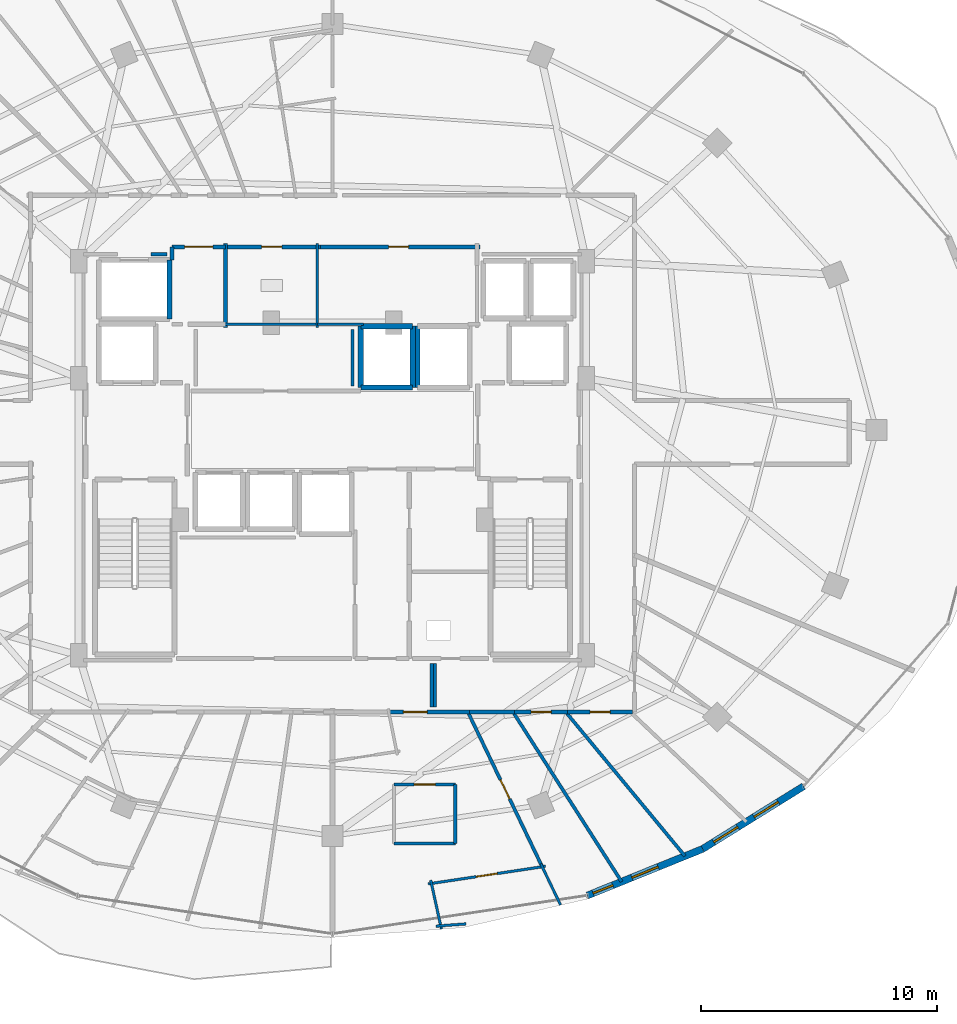
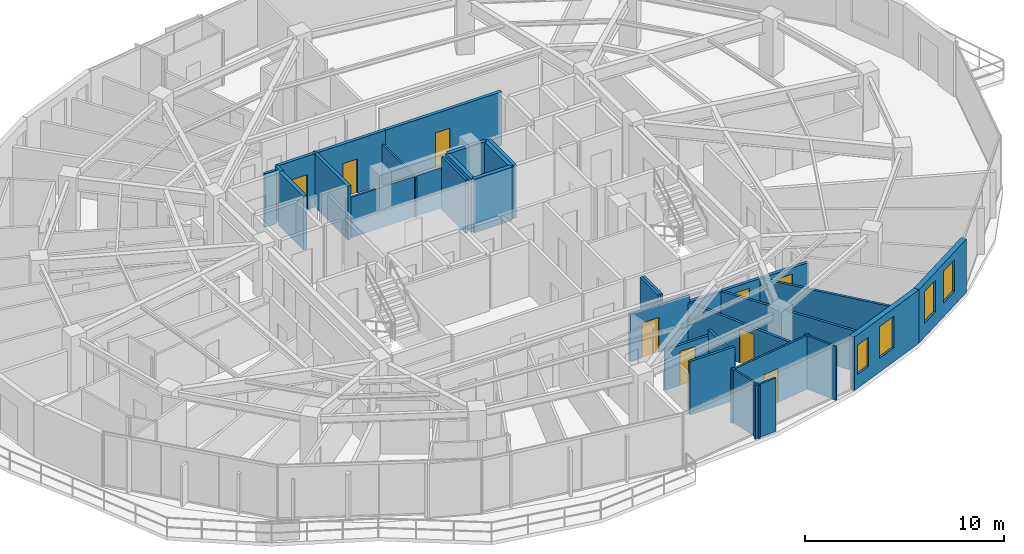
# One storey, part 26 of 32: 34 walls, 9 doors, 4 windows, 13 openings.
"""IFC4 building model written with IfcOpenShell, lengths in metres."""

import ifcopenshell
import ifcopenshell.guid

model = None  # the IFC model being written
_history = None  # IfcOwnerHistory: only IFC2X3 demands one
_inside = {}  # id of a spatial element -> (the spatial element, [elements in it])
_under = {}  # id of a project, library or spatial element -> (it, [spatial elements below it])
_declared = {}  # id of a project -> (the project, [libraries it declares])
_typed = {}  # id of a type object -> (the type object, [elements of that type])
_made_of = {}  # id of a material, layer set ... -> (it, [elements and type objects made of it])


def new_model(schema):
    """Start an empty IFC model of exactly this schema.

    Asked for "IFC4X3", IfcOpenShell would pick the latest addendum, in which some entities
    have other attributes; the version numbers below select the first issue.
    IFC2X3 requires an IfcOwnerHistory on every rooted entity: one is made here for all.
    """
    global model, _history
    if schema == "IFC4X3":
        model = ifcopenshell.file(schema_version=(4, 3, 0, 0))
    else:
        model = ifcopenshell.file(schema=schema)
    _inside.clear()
    _under.clear()
    _declared.clear()
    _typed.clear()
    _made_of.clear()
    _history = None
    if model.schema == "IFC2X3":
        org = make("IfcOrganization", Name="unknown")
        user = make(
            "IfcPersonAndOrganization",
            ThePerson=make("IfcPerson", FamilyName="unknown"),
            TheOrganization=org,
        )
        app = make(
            "IfcApplication",
            ApplicationDeveloper=org,
            Version="unknown",
            ApplicationFullName="unknown",
            ApplicationIdentifier="unknown",
        )
        _history = make(
            "IfcOwnerHistory",
            OwningUser=user,
            OwningApplication=app,
            ChangeAction="ADDED",
            CreationDate=0,
        )
    return model


def make(cls, **values):
    """One entity of the class cls with the attributes given. An attribute that is None is left unset."""
    return model.create_entity(
        cls, **{name: value for name, value in values.items() if value is not None}
    )


def rooted(cls, **values):
    """An entity with a GlobalId (a new one), such as an element, a storey or a relation."""
    return make(cls, GlobalId=ifcopenshell.guid.new(), OwnerHistory=_history, **values)


def si_unit(unit_type, name, prefix=None):
    """IfcSIUnit, for example si_unit("LENGTHUNIT", "METRE", prefix="MILLI")."""
    return make("IfcSIUnit", UnitType=unit_type, Prefix=prefix, Name=name)


def assignment(units):
    """IfcUnitAssignment: the units of a project."""
    return None if units is None else make("IfcUnitAssignment", Units=units)


def point(xyz):
    """IfcCartesianPoint."""
    return None if xyz is None else make("IfcCartesianPoint", Coordinates=xyz)


def direction(xyz):
    """IfcDirection."""
    return None if xyz is None else make("IfcDirection", DirectionRatios=xyz)


def frame(location, z_axis=None, x_axis=None):
    """IfcAxis2Placement3D, a coordinate frame: its origin and axes. An axis left out is left unset."""
    return make(
        "IfcAxis2Placement3D",
        Location=point(location),
        Axis=direction(z_axis),
        RefDirection=direction(x_axis),
    )


def frame_2d(location, x_axis=None):
    """IfcAxis2Placement2D, a coordinate frame in the plane: its origin and x axis."""
    return make(
        "IfcAxis2Placement2D", Location=point(location), RefDirection=direction(x_axis)
    )


def origin():
    """The frame at (0, 0, 0) with its axes left unset."""
    return frame((0.0, 0.0, 0.0))


def place(relative_to, where):
    """IfcLocalPlacement: puts the frame where relative to a parent placement (None: the world)."""
    return make(
        "IfcLocalPlacement", PlacementRelTo=relative_to, RelativePlacement=where
    )


def context(
    kind, dimensions, precision=None, world=None, true_north=None, identifier=None
):
    """IfcGeometricRepresentationContext, for example the 3D "Model" context."""
    return make(
        "IfcGeometricRepresentationContext",
        ContextIdentifier=identifier,
        ContextType=kind,
        CoordinateSpaceDimension=dimensions,
        Precision=precision,
        WorldCoordinateSystem=world,
        TrueNorth=true_north,
    )


def subcontext(parent, identifier, kind, view, scale=None):
    """IfcGeometricRepresentationSubContext, for example "Body" below "Model"."""
    return make(
        "IfcGeometricRepresentationSubContext",
        ContextIdentifier=identifier,
        ContextType=kind,
        ParentContext=parent,
        TargetScale=scale,
        TargetView=view,
    )


def project(units=None, contexts=None):
    """IfcProject with its units and contexts."""
    return rooted(
        "IfcProject",
        Name="project",
        RepresentationContexts=contexts,
        UnitsInContext=assignment(units),
    )


def spatial(cls, under=None, at=None, **own):
    """A site, building, storey or space (cls), placed at a placement, below another one or the project."""
    s = rooted(cls, ObjectPlacement=at, **own)
    if under is not None:
        _under.setdefault(under.id(), (under, []))[1].append(s)
    return s


def profile(cls, at=None, kind="AREA", **sizes):
    """A parametric profile (cls). Its sizes go by their IFC names, for example OverallWidth=200.0."""
    return make(cls, ProfileType=kind, Position=at, **sizes)


def rectangle(**sizes):
    """IfcRectangleProfileDef."""
    return profile("IfcRectangleProfileDef", **sizes)


def extrude(swept, where, along, depth):
    """IfcExtrudedAreaSolid: the profile swept, set in the frame where, extruded along a direction by depth."""
    return make(
        "IfcExtrudedAreaSolid",
        SweptArea=swept,
        Position=where,
        ExtrudedDirection=direction(along),
        Depth=depth,
    )


def shape(context_of_items, identifier, shape_type, items):
    """IfcShapeRepresentation: the items that make up one representation, for example the "Body"."""
    return make(
        "IfcShapeRepresentation",
        ContextOfItems=context_of_items,
        RepresentationIdentifier=identifier,
        RepresentationType=shape_type,
        Items=items,
    )


def material(Name=None, Category=None):
    """IfcMaterial."""
    return make("IfcMaterial", Name=Name, Category=Category)


def layer(
    of_material, thickness, ventilated=None, Name=None, Category=None, Priority=None
):
    """IfcMaterialLayer: one layer of a wall or slab, of a material (None: an air gap)."""
    return make(
        "IfcMaterialLayer",
        Material=of_material,
        LayerThickness=thickness,
        IsVentilated=ventilated,
        Name=Name,
        Category=Category,
        Priority=Priority,
    )


def layer_set(layers, Name=None):
    """IfcMaterialLayerSet."""
    return make("IfcMaterialLayerSet", MaterialLayers=layers, LayerSetName=Name)


def made_of(thing, what):
    """Note that an element or type object is made of a material, layer set ...; save() writes the relation."""
    if what is not None:
        _made_of.setdefault(what.id(), (what, []))[1].append(thing)
    return thing


def type_object(cls, material=None, **own):
    """A type object (cls), such as IfcWallType, which elements share."""
    return made_of(rooted(cls, **own), material)


def element(
    cls,
    number,
    at=None,
    inside=None,
    cuts=None,
    type_object=None,
    material=None,
    context=None,
    identifier="Body",
    shape_type=None,
    held_by="IfcProductDefinitionShape",
    body=None,
    shapes=None,
    **own,
):
    """One element of the class cls, such as IfcWall. Its Tag is "e" and its number.

    at: its placement. inside: the storey or other place that contains it. cuts: it is an
    opening in that element (IfcRelVoidsElement). A single representation is given by context,
    identifier, shape_type and body (its items); several are given by shapes. held_by: the class
    of the entity that holds the representations. save() writes the other relations.
    """
    e = rooted(cls, Tag="e%d" % number, ObjectPlacement=at, **own)
    if body is not None:
        shapes = [shape(context, identifier, shape_type, body)]
    if shapes is not None:
        e.Representation = make(held_by, Representations=shapes)
    if inside is not None:
        _inside.setdefault(inside.id(), (inside, []))[1].append(e)
    if cuts is not None:
        rooted(
            "IfcRelVoidsElement", RelatingBuildingElement=cuts, RelatedOpeningElement=e
        )
    if type_object is not None:
        _typed.setdefault(type_object.id(), (type_object, []))[1].append(e)
    return made_of(e, material)


def fill(opening, filler):
    """IfcRelFillsElement: the door or window that sits in an opening."""
    return rooted(
        "IfcRelFillsElement",
        RelatingOpeningElement=opening,
        RelatedBuildingElement=filler,
    )


def aggregate(whole, parts):
    """IfcRelAggregates: a whole, such as a stair, and the parts it consists of."""
    return rooted("IfcRelAggregates", RelatingObject=whole, RelatedObjects=parts)


def save(model, path):
    """Write the relations noted so far, then the file.

    IfcRelAggregates (storeys below a building ...), IfcRelContainedInSpatialStructure (elements
    in a storey), IfcRelDefinesByType, IfcRelAssociatesMaterial and IfcRelDeclares: one each for
    every whole, place, type object, material and project.
    """
    for whole, parts in _under.values():
        aggregate(whole, parts)
    for where, things in _inside.values():
        rooted(
            "IfcRelContainedInSpatialStructure",
            RelatedElements=things,
            RelatingStructure=where,
        )
    for kind, things in _typed.values():
        rooted("IfcRelDefinesByType", RelatedObjects=things, RelatingType=kind)
    for what, things in _made_of.values():
        rooted("IfcRelAssociatesMaterial", RelatedObjects=things, RelatingMaterial=what)
    for by, libraries in _declared.values():
        rooted("IfcRelDeclares", RelatingContext=by, RelatedDefinitions=libraries)
    model.write(path)


model = new_model("IFC4")

# Units and contexts
model_context = context("Model", 3, precision=1e-05, world=origin(), true_north=direction((0.0, 1.0)))
body_context = subcontext(model_context, "Body", "Model", "MODEL_VIEW")
ifc_project = project(units=[si_unit("LENGTHUNIT", "METRE"), si_unit("AREAUNIT", "SQUARE_METRE"), si_unit("VOLUMEUNIT", "CUBIC_METRE"), si_unit("PLANEANGLEUNIT", "RADIAN"), si_unit("MASSUNIT", "GRAM", prefix="KILO")], contexts=[model_context])

# Site, building, storey
site_placement = place(None, origin())
site = spatial("IfcSite", under=ifc_project, at=site_placement, CompositionType="ELEMENT")
building_placement = place(site_placement, origin())
building = spatial("IfcBuilding", under=site, at=building_placement, Name="Vorneva Point Tower", CompositionType="ELEMENT")
storey_placement = place(building_placement, frame((0.0, 0.0, 207.199951171875)))
storey = spatial("IfcBuildingStorey", under=building, at=storey_placement, Name="L56", CompositionType="ELEMENT", Elevation=207.199951171875)

# Wall, openings, windows
ifc_material_1 = material(Name="Precast concrete B50 (C40/50)", Category="concrete")
ifc_layer_1 = layer(ifc_material_1, 0.300048828125)
ifc_layer_set_1 = layer_set([ifc_layer_1], Name="Precast concrete B50 (C40/50)")
wall_type_1 = type_object("IfcWallType", Name="WL-EXT-300", PredefinedType="STANDARD", material=ifc_layer_set_1)
wall_1_placement = place(storey_placement, frame((48.80322265625, 6.275146484375, 0.0), z_axis=(0.0, 0.0, 1.0), x_axis=(0.927111094334, 0.374786630981, 0.0)))
wall_1 = element("IfcWall", 1, at=wall_1_placement, inside=storey, type_object=wall_type_1, Name="L56 Pale-Metal Facade Spandrel Wall 14.1", PredefinedType="STANDARD", context=body_context, shape_type="SweptSolid", body=[
    extrude(rectangle(XDim=5.26416015625, YDim=0.300048828125, at=frame_2d((2.632080078125, 0.0))), origin(), (0.0, 0.0, 1.0), 3.2900390625),
])
opening_1_placement = place(wall_1_placement, frame((0.25830078125, 0.0, 0.85009765625)))
opening_1 = element("IfcOpeningElement", 2, at=opening_1_placement, cuts=wall_1, Name="Opening W-08", PredefinedType="OPENING", context=body_context, shape_type="SweptSolid", body=[
    extrude(rectangle(XDim=0.89990234375, YDim=1.800048828125, at=frame_2d((0.449951171875, 0.89990234375))), frame((0.0, 0.1650390625, 0.0), z_axis=(0.0, -1.0, 0.0), x_axis=(1.0, 0.0, 0.0)), (0.0, 0.0, 1.0), 0.329833984375),
])
opening_2_placement = place(wall_1_placement, frame((2.031982421875, 0.0, 0.85009765625)))
opening_2 = element("IfcOpeningElement", 3, at=opening_2_placement, cuts=wall_1, Name="Opening W-04", PredefinedType="OPENING", context=body_context, shape_type="SweptSolid", body=[
    extrude(rectangle(XDim=1.199951171875, YDim=1.949951171875, at=frame_2d((0.60009765625, 0.97509765625))), frame((0.0, 0.1650390625, 0.0), z_axis=(0.0, -1.0, 0.0), x_axis=(1.0, 0.0, 0.0)), (0.0, 0.0, 1.0), 0.329833984375),
])
ifc_material_2 = material(Name="Double low-e laminated glass IGU", Category="glass")
window_type_1 = type_object("IfcWindowType", Name="WN-CAS-900", PartitioningType="SINGLE_PANEL", PredefinedType="WINDOW", material=ifc_material_2)
window_1_placement = place(opening_1_placement, origin())
window_1 = element("IfcWindow", 4, at=window_1_placement, inside=storey, type_object=window_type_1, Name="L56 Dwelling Vision Window 04", OverallHeight=1.800048828125, OverallWidth=0.89990234375, PartitioningType="SINGLE_PANEL", PredefinedType="WINDOW", context=body_context, shape_type="SweptSolid", body=[
    extrude(rectangle(XDim=0.89990234375, YDim=1.800048828125, at=frame_2d((0.449951171875, 0.89990234375))), frame((0.0, 0.030029296875, 0.0), z_axis=(0.0, -1.0, 0.0), x_axis=(1.0, 0.0, 0.0)), (0.0, 0.0, 1.0), 0.06005859375),
])
fill(opening_1, window_1)
window_type_2 = type_object("IfcWindowType", Name="WN-RES-1200", PartitioningType="SINGLE_PANEL", PredefinedType="WINDOW", material=ifc_material_2)
window_2_placement = place(opening_2_placement, origin())
window_2 = element("IfcWindow", 5, at=window_2_placement, inside=storey, type_object=window_type_2, Name="L56 Dwelling Vision Window 05", OverallHeight=1.949951171875, OverallWidth=1.199951171875, PartitioningType="SINGLE_PANEL", PredefinedType="WINDOW", context=body_context, shape_type="SweptSolid", body=[
    extrude(rectangle(XDim=1.199951171875, YDim=1.949951171875, at=frame_2d((0.60009765625, 0.97509765625))), frame((0.0, 0.030029296875, 0.0), z_axis=(0.0, -1.0, 0.0), x_axis=(1.0, 0.0, 0.0)), (0.0, 0.0, 1.0), 0.06005859375),
])
fill(opening_2, window_2)

wall_2_placement = place(storey_placement, frame((53.68359375, 8.248046875, 0.0), z_axis=(0.0, 0.0, 1.0), x_axis=(0.849647657754, 0.527350791858, 0.0)))
wall_2 = element("IfcWall", 6, at=wall_2_placement, inside=storey, type_object=wall_type_1, Name="L56 Pale-Metal Facade Spandrel Wall 14.2", PredefinedType="STANDARD", context=body_context, shape_type="SweptSolid", body=[
    extrude(rectangle(XDim=5.03515625, YDim=0.300048828125, at=frame_2d((2.517578125, 0.0))), origin(), (0.0, 0.0, 1.0), 3.2900390625),
])
opening_3_placement = place(wall_2_placement, frame((0.5546875, 0.0, 0.85009765625)))
opening_3 = element("IfcOpeningElement", 7, at=opening_3_placement, cuts=wall_2, Name="Opening W-04", PredefinedType="OPENING", context=body_context, shape_type="SweptSolid", body=[
    extrude(rectangle(XDim=1.199951171875, YDim=1.949951171875, at=frame_2d((0.60009765625, 0.97509765625))), frame((0.0, 0.1650390625, 0.0), z_axis=(0.0, -1.0, 0.0), x_axis=(1.0, 0.0, 0.0)), (0.0, 0.0, 1.0), 0.329833984375),
])
opening_4_placement = place(wall_2_placement, frame((2.569091796875, 0.0, 0.85009765625)))
opening_4 = element("IfcOpeningElement", 8, at=opening_4_placement, cuts=wall_2, Name="Opening W-04", PredefinedType="OPENING", context=body_context, shape_type="SweptSolid", body=[
    extrude(rectangle(XDim=1.199951171875, YDim=1.949951171875, at=frame_2d((0.60009765625, 0.97509765625))), frame((0.0, 0.1650390625, 0.0), z_axis=(0.0, -1.0, 0.0), x_axis=(1.0, 0.0, 0.0)), (0.0, 0.0, 1.0), 0.329833984375),
])
window_3_placement = place(opening_3_placement, origin())
window_3 = element("IfcWindow", 9, at=window_3_placement, inside=storey, type_object=window_type_2, Name="L56 Dwelling Vision Window 06", OverallHeight=1.949951171875, OverallWidth=1.199951171875, PartitioningType="SINGLE_PANEL", PredefinedType="WINDOW", context=body_context, shape_type="SweptSolid", body=[
    extrude(rectangle(XDim=1.199951171875, YDim=1.949951171875, at=frame_2d((0.60009765625, 0.97509765625))), frame((0.0, 0.030029296875, 0.0), z_axis=(0.0, -1.0, 0.0), x_axis=(1.0, 0.0, 0.0)), (0.0, 0.0, 1.0), 0.06005859375),
])
fill(opening_3, window_3)
window_4_placement = place(opening_4_placement, origin())
window_4 = element("IfcWindow", 10, at=window_4_placement, inside=storey, type_object=window_type_2, Name="L56 Dwelling Vision Window 07", OverallHeight=1.949951171875, OverallWidth=1.199951171875, PartitioningType="SINGLE_PANEL", PredefinedType="WINDOW", context=body_context, shape_type="SweptSolid", body=[
    extrude(rectangle(XDim=1.199951171875, YDim=1.949951171875, at=frame_2d((0.60009765625, 0.97509765625))), frame((0.0, 0.030029296875, 0.0), z_axis=(0.0, -1.0, 0.0), x_axis=(1.0, 0.0, 0.0)), (0.0, 0.0, 1.0), 0.06005859375),
])
fill(opening_4, window_4)

# Walls
ifc_material_3 = material(Name="Fire-rated acoustic gypsum stud partition", Category="gypsum")
ifc_layer_2 = layer(ifc_material_3, 0.110107421875)
ifc_layer_set_2 = layer_set([ifc_layer_2], Name="Fire-rated acoustic gypsum stud partition")
wall_type_2 = type_object("IfcWallType", Name="WL-PART-110", PredefinedType="PARTITIONING", material=ifc_layer_set_2)
wall_3_placement = place(storey_placement, frame((37.35009765625, 30.340087890625, 0.0), z_axis=(0.0, 0.0, 1.0), x_axis=(0.0, 1.0, 0.0)))
element("IfcWall", 11, at=wall_3_placement, inside=storey, type_object=wall_type_2, Name="L56 Interior Partition 019", PredefinedType="PARTITIONING", context=body_context, shape_type="SweptSolid", body=[
    extrude(rectangle(XDim=3.559814453125, YDim=0.110107421875, at=frame_2d((1.77978515625, 0.0))), origin(), (0.0, 0.0, 1.0), 2.48193359375),
])
wall_4_placement = place(storey_placement, frame((33.360107421875, 30.47998046875, 0.0), z_axis=(0.0, 0.0, 1.0), x_axis=(1.0, 0.0, 0.0)))
element("IfcWall", 12, at=wall_4_placement, inside=storey, type_object=wall_type_2, Name="L56 Interior Partition 020", PredefinedType="PARTITIONING", context=body_context, shape_type="SweptSolid", body=[
    extrude(rectangle(XDim=4.114990234375, YDim=0.110107421875, at=frame_2d((2.0576171875, 0.0))), origin(), (0.0, 0.0, 1.0), 2.48193359375),
])
wall_5_placement = place(storey_placement, frame((37.364990234375, 30.47998046875, 0.0), z_axis=(0.0, 0.0, 1.0), x_axis=(1.0, 0.0, 0.0)))
element("IfcWall", 13, at=wall_5_placement, inside=storey, type_object=wall_type_2, Name="L56 Interior Partition 022", PredefinedType="PARTITIONING", context=body_context, shape_type="SweptSolid", body=[
    extrude(rectangle(XDim=1.955078125, YDim=0.110107421875, at=frame_2d((0.9775390625, 0.0))), origin(), (0.0, 0.0, 1.0), 2.48193359375),
])
wall_6_placement = place(storey_placement, frame((42.614990234375, 4.856201171875, 0.0), z_axis=(0.0, 0.0, 1.0), x_axis=(-0.213521424511, 0.976938381514, 0.0)))
element("IfcWall", 14, at=wall_6_placement, inside=storey, type_object=wall_type_2, Name="L56 Interior Partition 133", PredefinedType="PARTITIONING", context=body_context, shape_type="SweptSolid", body=[
    extrude(rectangle(XDim=2.116455078125, YDim=0.110107421875, at=frame_2d((1.05810546875, 0.0))), origin(), (0.0, 0.0, 1.0), 3.2900390625),
])

# Wall, opening, door
wall_7_placement = place(storey_placement, frame((42.0546875, 6.76611328125, 0.0), z_axis=(0.0, 0.0, 1.0), x_axis=(0.988872134662, 0.148767944424, 0.0)))
wall_7 = element("IfcWall", 15, at=wall_7_placement, inside=storey, type_object=wall_type_2, Name="L56 Interior Partition 134", PredefinedType="PARTITIONING", context=body_context, shape_type="SweptSolid", body=[
    extrude(rectangle(XDim=5.026611328125, YDim=0.110107421875, at=frame_2d((2.51318359375, 0.0))), origin(), (0.0, 0.0, 1.0), 3.2900390625),
])
opening_5_placement = place(wall_7_placement, frame((2.0634765625, 0.0, 0.0)))
opening_5 = element("IfcOpeningElement", 16, at=opening_5_placement, cuts=wall_7, Name="Opening ID-01", PredefinedType="OPENING", context=body_context, shape_type="SweptSolid", body=[
    extrude(rectangle(XDim=0.89990234375, YDim=2.10009765625, at=frame_2d((0.449951171875, 1.050048828125))), frame((0.0, 0.06982421875, 0.0), z_axis=(0.0, -1.0, 0.0), x_axis=(1.0, 0.0, 0.0)), (0.0, 0.0, 1.0), 0.139892578125),
])
ifc_material_4 = material(Name="Engineered oak fire-rated door leaf", Category="wood")
door_type_1 = type_object("IfcDoorType", Name="DR-ROOM-900", OperationType="NOTDEFINED", PredefinedType="DOOR", material=ifc_material_4)
door_1_placement = place(opening_5_placement, origin())
door_1 = element("IfcDoor", 17, at=door_1_placement, inside=storey, type_object=door_type_1, Name="L56 Door Living and Dining Room L56-05 / Kitchen L56-05", OperationType="SINGLE_SWING_LEFT", OverallHeight=2.10009765625, OverallWidth=0.89990234375, PredefinedType="DOOR", context=body_context, shape_type="SweptSolid", body=[
    extrude(rectangle(XDim=0.89990234375, YDim=2.10009765625, at=frame_2d((0.449951171875, 1.050048828125))), frame((0.0, 0.02490234375, 0.0), z_axis=(0.0, -1.0, 0.0), x_axis=(1.0, 0.0, 0.0)), (0.0, 0.0, 1.0), 0.050048828125),
])
fill(opening_5, door_1)

# Walls
wall_8_placement = place(storey_placement, frame((42.385498046875, 4.9775390625, 0.0), z_axis=(0.0, 0.0, 1.0), x_axis=(0.997207179737, 0.074684942803, 0.0)))
element("IfcWall", 18, at=wall_8_placement, inside=storey, type_object=wall_type_2, Name="L56 Interior Partition 135", PredefinedType="PARTITIONING", context=body_context, shape_type="SweptSolid", body=[
    extrude(rectangle(XDim=1.271728515625, YDim=0.110107421875, at=frame_2d((0.6357421875, 0.0))), origin(), (0.0, 0.0, 1.0), 3.2900390625),
])
wall_9_placement = place(storey_placement, frame((47.66357421875, 5.875732421875, 0.0), z_axis=(0.0, 0.0, 1.0), x_axis=(-0.432866492457, 0.901458041014, 0.0)))
element("IfcWall", 19, at=wall_9_placement, inside=storey, type_object=wall_type_2, Name="L56 Interior Partition 141", PredefinedType="PARTITIONING", context=body_context, shape_type="SweptSolid", body=[
    extrude(rectangle(XDim=1.93408203125, YDim=0.110107421875, at=frame_2d((0.967041015625, 0.0))), origin(), (0.0, 0.0, 1.0), 3.2900390625),
])

# Wall, opening, door
ifc_layer_3 = layer(ifc_material_3, 0.139892578125)
ifc_layer_set_3 = layer_set([ifc_layer_3], Name="Fire-rated acoustic gypsum stud partition")
wall_type_3 = type_object("IfcWallType", Name="WL-PART-140", PredefinedType="PARTITIONING", material=ifc_layer_set_3)
wall_10_placement = place(storey_placement, frame((43.20703125, 10.97900390625, 0.0), z_axis=(0.0, 0.0, 1.0), x_axis=(-1.0, 0.0, 0.0)))
wall_10 = element("IfcWall", 20, at=wall_10_placement, inside=storey, type_object=wall_type_3, Name="L56 Interior Partition 136", PredefinedType="PARTITIONING", context=body_context, shape_type="SweptSolid", body=[
    extrude(rectangle(XDim=2.60009765625, YDim=0.139892578125, at=frame_2d((1.300048828125, 0.0))), origin(), (0.0, 0.0, 1.0), 2.48193359375),
])
opening_6_placement = place(wall_10_placement, frame((0.85009765625, 0.0, 0.0)))
opening_6 = element("IfcOpeningElement", 21, at=opening_6_placement, cuts=wall_10, Name="Opening ID-01", PredefinedType="OPENING", context=body_context, shape_type="SweptSolid", body=[
    extrude(rectangle(XDim=0.89990234375, YDim=2.10009765625, at=frame_2d((0.449951171875, 1.050048828125))), frame((0.0, 0.0849609375, 0.0), z_axis=(0.0, -1.0, 0.0), x_axis=(1.0, 0.0, 0.0)), (0.0, 0.0, 1.0), 0.169677734375),
])
door_2_placement = place(opening_6_placement, origin())
door_2 = element("IfcDoor", 22, at=door_2_placement, inside=storey, type_object=door_type_1, Name="L56 Door Living and Dining Room L56-05 / Study Room L56-05", OperationType="SINGLE_SWING_RIGHT", OverallHeight=2.10009765625, OverallWidth=0.89990234375, PredefinedType="DOOR", context=body_context, shape_type="SweptSolid", body=[
    extrude(rectangle(XDim=0.89990234375, YDim=2.10009765625, at=frame_2d((0.449951171875, 1.050048828125))), frame((0.0, 0.02490234375, 0.0), z_axis=(0.0, -1.0, 0.0), x_axis=(1.0, 0.0, 0.0)), (0.0, 0.0, 1.0), 0.050048828125),
])
fill(opening_6, door_2)

# Walls
wall_11_placement = place(storey_placement, frame((40.60693359375, 8.47900390625, 0.0), z_axis=(0.0, 0.0, 1.0), x_axis=(1.0, 0.0, 0.0)))
element("IfcWall", 23, at=wall_11_placement, inside=storey, type_object=wall_type_3, Name="L56 Interior Partition 138", PredefinedType="PARTITIONING", context=body_context, shape_type="SweptSolid", body=[
    extrude(rectangle(XDim=2.60009765625, YDim=0.139892578125, at=frame_2d((1.300048828125, 0.0))), origin(), (0.0, 0.0, 1.0), 3.2900390625),
])
wall_12_placement = place(storey_placement, frame((43.20703125, 8.47900390625, 0.0), z_axis=(0.0, 0.0, 1.0), x_axis=(0.0, 1.0, 0.0)))
element("IfcWall", 24, at=wall_12_placement, inside=storey, type_object=wall_type_3, Name="L56 Interior Partition 139", PredefinedType="PARTITIONING", context=body_context, shape_type="SweptSolid", body=[
    extrude(rectangle(XDim=2.5, YDim=0.139892578125, at=frame_2d((1.25, 0.0))), origin(), (0.0, 0.0, 1.0), 2.823974609375),
])

# Wall, opening, door
wall_13_placement = place(storey_placement, frame((46.886962890625, 7.492919921875, 0.0), z_axis=(0.0, 0.0, 1.0), x_axis=(-0.43289909466, 0.901442385204, 0.0)))
wall_13 = element("IfcWall", 25, at=wall_13_placement, inside=storey, type_object=wall_type_3, Name="L56 Interior Partition 140", PredefinedType="PARTITIONING", context=body_context, shape_type="SweptSolid", body=[
    extrude(rectangle(XDim=7.27392578125, YDim=0.139892578125, at=frame_2d((3.636962890625, 0.0))), origin(), (0.0, 0.0, 1.0), 2.48193359375),
])
opening_7_placement = place(wall_13_placement, frame((3.18701171875, 0.0, 0.0)))
opening_7 = element("IfcOpeningElement", 26, at=opening_7_placement, cuts=wall_13, Name="Opening ID-01", PredefinedType="OPENING", context=body_context, shape_type="SweptSolid", body=[
    extrude(rectangle(XDim=0.89990234375, YDim=2.10009765625, at=frame_2d((0.449951171875, 1.050048828125))), frame((0.0, 0.0849609375, 0.0), z_axis=(0.0, -1.0, 0.0), x_axis=(1.0, 0.0, 0.0)), (0.0, 0.0, 1.0), 0.169677734375),
])
door_3_placement = place(opening_7_placement, origin())
door_3 = element("IfcDoor", 27, at=door_3_placement, inside=storey, type_object=door_type_1, Name="L56 Door Living and Dining Room L56-05 / Master Bedroom L56-05.1", OperationType="SINGLE_SWING_RIGHT", OverallHeight=2.10009765625, OverallWidth=0.89990234375, PredefinedType="DOOR", context=body_context, shape_type="SweptSolid", body=[
    extrude(rectangle(XDim=0.89990234375, YDim=2.10009765625, at=frame_2d((0.449951171875, 1.050048828125))), frame((0.0, 0.02490234375, 0.0), z_axis=(0.0, -1.0, 0.0), x_axis=(1.0, 0.0, 0.0)), (0.0, 0.0, 1.0), 0.050048828125),
])
fill(opening_7, door_3)

# Walls
wall_14_placement = place(storey_placement, frame((50.2509765625, 6.862060546875, 0.0), z_axis=(0.0, 0.0, 1.0), x_axis=(-0.539117012224, 0.842230875194, 0.0)))
element("IfcWall", 28, at=wall_14_placement, inside=storey, type_object=wall_type_3, Name="L56 Interior Partition 142", PredefinedType="PARTITIONING", context=body_context, shape_type="SweptSolid", body=[
    extrude(rectangle(XDim=8.534423828125, YDim=0.139892578125, at=frame_2d((4.26708984375, 0.0))), origin(), (0.0, 0.0, 1.0), 2.48193359375),
])
wall_15_placement = place(storey_placement, frame((52.93408203125, 7.947998046875, 0.0), z_axis=(0.0, 0.0, 1.0), x_axis=(-0.637427009283, 0.77051074479, 0.0)))
element("IfcWall", 29, at=wall_15_placement, inside=storey, type_object=wall_type_3, Name="L56 Interior Partition 143", PredefinedType="PARTITIONING", context=body_context, shape_type="SweptSolid", body=[
    extrude(rectangle(XDim=7.91943359375, YDim=0.139892578125, at=frame_2d((3.959716796875, 0.0))), origin(), (0.0, 0.0, 1.0), 2.48193359375),
])
wall_16_placement = place(storey_placement, frame((38.85009765625, 27.8701171875, 0.0), z_axis=(0.0, 0.0, 1.0), x_axis=(0.0, 1.0, 0.0)))
element("IfcWall", 30, at=wall_16_placement, inside=storey, type_object=wall_type_3, Name="L56 Interior Closure Partition 156", PredefinedType="PARTITIONING", context=body_context, shape_type="SweptSolid", body=[
    extrude(rectangle(XDim=2.389892578125, YDim=0.139892578125, at=frame_2d((1.19482421875, 0.0))), origin(), (0.0, 0.0, 1.0), 3.2900390625),
])
wall_17_placement = place(storey_placement, frame((30.97998046875, 33.449951171875, 0.0), z_axis=(0.0, 0.0, 1.0), x_axis=(-1.0, 0.0, 0.0)))
element("IfcWall", 31, at=wall_17_placement, inside=storey, type_object=wall_type_3, Name="L56 Interior Closure Partition 162", PredefinedType="PARTITIONING", context=body_context, shape_type="SweptSolid", body=[
    extrude(rectangle(XDim=0.674072265625, YDim=0.139892578125, at=frame_2d((0.3369140625, 0.0))), origin(), (0.0, 0.0, 1.0), 3.2900390625),
])
for number, where, z_axis, x_axis, name in (
    (32, (42.199951171875, 16.10009765625, 0.0), (0.0, 0.0, 1.0), (0.0, -1.0, 0.0), "L56 Interior Closure Partition 167"),
    (33, (42.340087890625, 14.27001953125, 0.0), (0.0, 0.0, 1.0), (0.0, 1.0, 0.0), "L56 Interior Closure Partition 168"),
):
    element("IfcWall", number, at=place(storey_placement, frame(where, z_axis=z_axis, x_axis=x_axis)), inside=storey, type_object=wall_type_3, Name=name, PredefinedType="PARTITIONING", context=body_context, shape_type="SweptSolid", body=[
        extrude(rectangle(XDim=1.830078125, YDim=0.139892578125, at=frame_2d((0.9150390625, 0.0))), origin(), (0.0, 0.0, 1.0), 3.2900390625),
    ])
ifc_material_5 = material(Name="Autoclaved aerated concrete blockwork", Category="masonry")
ifc_layer_4 = layer(ifc_material_5, 0.179931640625)
ifc_layer_set_4 = layer_set([ifc_layer_4], Name="Autoclaved aerated concrete blockwork")
wall_type_4 = type_object("IfcWallType", Name="WL-PART-180", PredefinedType="PARTITIONING", material=ifc_layer_set_4)
wall_18_placement = place(storey_placement, frame((33.469970703125, 30.340087890625, 0.0), z_axis=(0.0, 0.0, 1.0), x_axis=(0.0, 1.0, 0.0)))
element("IfcWall", 34, at=wall_18_placement, inside=storey, type_object=wall_type_4, Name="L56 Interior Partition 006", PredefinedType="PARTITIONING", context=body_context, shape_type="SweptSolid", body=[
    extrude(rectangle(XDim=3.559814453125, YDim=0.179931640625, at=frame_2d((1.77978515625, 0.0))), origin(), (0.0, 0.0, 1.0), 3.2900390625),
])

# Wall, opening, door
wall_19_placement = place(storey_placement, frame((33.469970703125, 33.760009765625, 0.0), z_axis=(0.0, 0.0, 1.0), x_axis=(-1.0, 0.0, 0.0)))
wall_19 = element("IfcWall", 35, at=wall_19_placement, inside=storey, type_object=wall_type_4, Name="L56 Interior Partition 008", PredefinedType="PARTITIONING", context=body_context, shape_type="SweptSolid", body=[
    extrude(rectangle(XDim=2.27001953125, YDim=0.179931640625, at=frame_2d((1.135009765625, 0.0))), origin(), (0.0, 0.0, 1.0), 3.2900390625),
])
opening_8_placement = place(wall_19_placement, frame((0.534912109375, 0.0, 0.0)))
opening_8 = element("IfcOpeningElement", 36, at=opening_8_placement, cuts=wall_19, Name="Opening FD-02", PredefinedType="OPENING", context=body_context, shape_type="SweptSolid", body=[
    extrude(rectangle(XDim=1.199951171875, YDim=2.14990234375, at=frame_2d((0.60009765625, 1.074951171875))), frame((0.0, 0.10498046875, 0.0), z_axis=(0.0, -1.0, 0.0), x_axis=(1.0, 0.0, 0.0)), (0.0, 0.0, 1.0), 0.209716796875),
])
ifc_material_6 = material(Name="Fire-rated powder-coated steel", Category="steel")
door_type_2 = type_object("IfcDoorType", Name="DR-FFL-1200", OperationType="NOTDEFINED", PredefinedType="DOOR", material=ifc_material_6)
door_4_placement = place(opening_8_placement, origin())
door_4 = element("IfcDoor", 37, at=door_4_placement, inside=storey, type_object=door_type_2, Name="L56 Door Service Lift Lobby / L56 Circulation Corridor", OperationType="SINGLE_SWING_RIGHT", OverallHeight=2.14990234375, OverallWidth=1.199951171875, PredefinedType="DOOR", context=body_context, shape_type="SweptSolid", body=[
    extrude(rectangle(XDim=1.199951171875, YDim=2.14990234375, at=frame_2d((0.60009765625, 1.074951171875))), frame((0.0, 0.02490234375, 0.0), z_axis=(0.0, -1.0, 0.0), x_axis=(1.0, 0.0, 0.0)), (0.0, 0.0, 1.0), 0.050048828125),
])
fill(opening_8, door_4)

# Wall
wall_20_placement = place(storey_placement, frame((31.199951171875, 33.760009765625, 0.0), z_axis=(0.0, 0.0, 1.0), x_axis=(0.0, -1.0, 0.0)))
element("IfcWall", 38, at=wall_20_placement, inside=storey, type_object=wall_type_4, Name="L56 Interior Partition 009", PredefinedType="PARTITIONING", context=body_context, shape_type="SweptSolid", body=[
    extrude(rectangle(XDim=0.56005859375, YDim=0.179931640625, at=frame_2d((0.280029296875, 0.0))), origin(), (0.0, 0.0, 1.0), 3.2900390625),
])

# Wall, opening, door
wall_21_placement = place(storey_placement, frame((37.489990234375, 33.760009765625, 0.0), z_axis=(0.0, 0.0, 1.0), x_axis=(-1.0, 0.0, 0.0)))
wall_21 = element("IfcWall", 39, at=wall_21_placement, inside=storey, type_object=wall_type_4, Name="L56 Interior Partition 021", PredefinedType="PARTITIONING", context=body_context, shape_type="SweptSolid", body=[
    extrude(rectangle(XDim=4.1298828125, YDim=0.179931640625, at=frame_2d((2.06494140625, 0.0))), origin(), (0.0, 0.0, 1.0), 3.2900390625),
])
opening_9_placement = place(wall_21_placement, frame((1.639892578125, 0.0, 0.0)))
opening_9 = element("IfcOpeningElement", 40, at=opening_9_placement, cuts=wall_21, Name="Opening ID-02", PredefinedType="OPENING", context=body_context, shape_type="SweptSolid", body=[
    extrude(rectangle(XDim=0.85009765625, YDim=2.10009765625, at=frame_2d((0.425048828125, 1.050048828125))), frame((0.0, 0.10498046875, 0.0), z_axis=(0.0, -1.0, 0.0), x_axis=(1.0, 0.0, 0.0)), (0.0, 0.0, 1.0), 0.209716796875),
])
door_type_3 = type_object("IfcDoorType", Name="DR-BATH-850", OperationType="NOTDEFINED", PredefinedType="DOOR", material=ifc_material_4)
door_5_placement = place(opening_9_placement, origin())
door_5 = element("IfcDoor", 41, at=door_5_placement, inside=storey, type_object=door_type_3, Name="L56 Door Accessible WC / L56 Circulation Corridor", OperationType="SINGLE_SWING_LEFT", OverallHeight=2.10009765625, OverallWidth=0.85009765625, PredefinedType="DOOR", context=body_context, shape_type="SweptSolid", body=[
    extrude(rectangle(XDim=0.85009765625, YDim=2.10009765625, at=frame_2d((0.425048828125, 1.050048828125))), frame((0.0, 0.02490234375, 0.0), z_axis=(0.0, -1.0, 0.0), x_axis=(1.0, 0.0, 0.0)), (0.0, 0.0, 1.0), 0.050048828125),
])
fill(opening_9, door_5)

wall_22_placement = place(storey_placement, frame((44.260009765625, 33.760009765625, 0.0), z_axis=(0.0, 0.0, 1.0), x_axis=(-1.0, 0.0, 0.0)))
wall_22 = element("IfcWall", 42, at=wall_22_placement, inside=storey, type_object=wall_type_4, Name="L56 Interior Partition 023", PredefinedType="PARTITIONING", context=body_context, shape_type="SweptSolid", body=[
    extrude(rectangle(XDim=6.909912109375, YDim=0.179931640625, at=frame_2d((3.455078125, 0.0))), origin(), (0.0, 0.0, 1.0), 3.2900390625),
])
opening_10_placement = place(wall_22_placement, frame((3.030029296875, 0.0, 0.0)))
opening_10 = element("IfcOpeningElement", 43, at=opening_10_placement, cuts=wall_22, Name="Opening ID-02", PredefinedType="OPENING", context=body_context, shape_type="SweptSolid", body=[
    extrude(rectangle(XDim=0.85009765625, YDim=2.10009765625, at=frame_2d((0.425048828125, 1.050048828125))), frame((0.0, 0.10498046875, 0.0), z_axis=(0.0, -1.0, 0.0), x_axis=(1.0, 0.0, 0.0)), (0.0, 0.0, 1.0), 0.209716796875),
])
door_6_placement = place(opening_10_placement, origin())
door_6 = element("IfcDoor", 44, at=door_6_placement, inside=storey, type_object=door_type_3, Name="L56 Door Public Restroom / L56 Circulation Corridor", OperationType="SINGLE_SWING_RIGHT", OverallHeight=2.10009765625, OverallWidth=0.85009765625, PredefinedType="DOOR", context=body_context, shape_type="SweptSolid", body=[
    extrude(rectangle(XDim=0.85009765625, YDim=2.10009765625, at=frame_2d((0.425048828125, 1.050048828125))), frame((0.0, 0.02490234375, 0.0), z_axis=(0.0, -1.0, 0.0), x_axis=(1.0, 0.0, 0.0)), (0.0, 0.0, 1.0), 0.050048828125),
])
fill(opening_10, door_6)

wall_23_placement = place(storey_placement, frame((40.324951171875, 14.050048828125, 0.0), z_axis=(0.0, 0.0, 1.0), x_axis=(1.0, 0.0, 0.0)))
wall_23 = element("IfcWall", 45, at=wall_23_placement, inside=storey, type_object=wall_type_4, Name="L56 Interior Partition 057", PredefinedType="PARTITIONING", context=body_context, shape_type="SweptSolid", body=[
    extrude(rectangle(XDim=3.47998046875, YDim=0.179931640625, at=frame_2d((1.739990234375, 0.0))), origin(), (0.0, 0.0, 1.0), 2.93603515625),
])
opening_11_placement = place(wall_23_placement, frame((0.679931640625, 0.0, 0.0)))
opening_11 = element("IfcOpeningElement", 46, at=opening_11_placement, cuts=wall_23, Name="Opening UD-01", PredefinedType="OPENING", context=body_context, shape_type="SweptSolid", body=[
    extrude(rectangle(XDim=1.0, YDim=2.14990234375, at=frame_2d((0.5, 1.074951171875))), frame((0.0, 0.10498046875, 0.0), z_axis=(0.0, -1.0, 0.0), x_axis=(1.0, 0.0, 0.0)), (0.0, 0.0, 1.0), 0.209716796875),
])
door_type_4 = type_object("IfcDoorType", Name="DR-UNIT-1000", OperationType="NOTDEFINED", PredefinedType="DOOR", material=ifc_material_4)
door_7_placement = place(opening_11_placement, origin())
door_7 = element("IfcDoor", 47, at=door_7_placement, inside=storey, type_object=door_type_4, Name="L56 Door L56 Circulation Corridor / Living and Dining Room L56-05", OperationType="SINGLE_SWING_RIGHT", OverallHeight=2.14990234375, OverallWidth=1.0, PredefinedType="DOOR", context=body_context, shape_type="SweptSolid", body=[
    extrude(rectangle(XDim=1.0, YDim=2.14990234375, at=frame_2d((0.5, 1.074951171875))), frame((0.0, 0.02490234375, 0.0), z_axis=(0.0, -1.0, 0.0), x_axis=(1.0, 0.0, 0.0)), (0.0, 0.0, 1.0), 0.050048828125),
])
fill(opening_11, door_7)

# Wall
wall_24_placement = place(storey_placement, frame((43.804931640625, 14.050048828125, 0.0), z_axis=(0.0, 0.0, 1.0), x_axis=(1.0, 0.0, 0.0)))
element("IfcWall", 48, at=wall_24_placement, inside=storey, type_object=wall_type_4, Name="L56 Interior Partition 059", PredefinedType="PARTITIONING", context=body_context, shape_type="SweptSolid", body=[
    extrude(rectangle(XDim=1.916015625, YDim=0.179931640625, at=frame_2d((0.9580078125, 0.0))), origin(), (0.0, 0.0, 1.0), 2.48193359375),
])

# Wall, opening, door
wall_25_placement = place(storey_placement, frame((45.720947265625, 14.050048828125, 0.0), z_axis=(0.0, 0.0, 1.0), x_axis=(1.0, 0.0, 0.0)))
wall_25 = element("IfcWall", 49, at=wall_25_placement, inside=storey, type_object=wall_type_4, Name="L56 Interior Partition 060", PredefinedType="PARTITIONING", context=body_context, shape_type="SweptSolid", body=[
    extrude(rectangle(XDim=2.2431640625, YDim=0.179931640625, at=frame_2d((1.12158203125, 0.0))), origin(), (0.0, 0.0, 1.0), 2.48193359375),
])
opening_12_placement = place(wall_25_placement, frame((0.696533203125, 0.0, 0.0)))
opening_12 = element("IfcOpeningElement", 50, at=opening_12_placement, cuts=wall_25, Name="Opening ID-02", PredefinedType="OPENING", context=body_context, shape_type="SweptSolid", body=[
    extrude(rectangle(XDim=0.85009765625, YDim=2.10009765625, at=frame_2d((0.425048828125, 1.050048828125))), frame((0.0, 0.10498046875, 0.0), z_axis=(0.0, -1.0, 0.0), x_axis=(1.0, 0.0, 0.0)), (0.0, 0.0, 1.0), 0.209716796875),
])
door_8_placement = place(opening_12_placement, origin())
door_8 = element("IfcDoor", 51, at=door_8_placement, inside=storey, type_object=door_type_3, Name="L56 Access Door L56 Circulation Corridor", OperationType="SINGLE_SWING_RIGHT", OverallHeight=2.10009765625, OverallWidth=0.85009765625, PredefinedType="DOOR", context=body_context, shape_type="SweptSolid", body=[
    extrude(rectangle(XDim=0.85009765625, YDim=2.10009765625, at=frame_2d((0.425048828125, 1.050048828125))), frame((0.0, 0.02490234375, 0.0), z_axis=(0.0, -1.0, 0.0), x_axis=(1.0, 0.0, 0.0)), (0.0, 0.0, 1.0), 0.050048828125),
])
fill(opening_12, door_8)

wall_26_placement = place(storey_placement, frame((47.964111328125, 14.050048828125, 0.0), z_axis=(0.0, 0.0, 1.0), x_axis=(1.0, 0.0, 0.0)))
wall_26 = element("IfcWall", 52, at=wall_26_placement, inside=storey, type_object=wall_type_4, Name="L56 Interior Partition 061", PredefinedType="PARTITIONING", context=body_context, shape_type="SweptSolid", body=[
    extrude(rectangle(XDim=2.748779296875, YDim=0.179931640625, at=frame_2d((1.37451171875, 0.0))), origin(), (0.0, 0.0, 1.0), 2.48193359375),
])
opening_13_placement = place(wall_26_placement, frame((0.949462890625, 0.0, 0.0)))
opening_13 = element("IfcOpeningElement", 53, at=opening_13_placement, cuts=wall_26, Name="Opening ID-02", PredefinedType="OPENING", context=body_context, shape_type="SweptSolid", body=[
    extrude(rectangle(XDim=0.85009765625, YDim=2.10009765625, at=frame_2d((0.425048828125, 1.050048828125))), frame((0.0, 0.10498046875, 0.0), z_axis=(0.0, -1.0, 0.0), x_axis=(1.0, 0.0, 0.0)), (0.0, 0.0, 1.0), 0.209716796875),
])
door_9_placement = place(opening_13_placement, origin())
door_9 = element("IfcDoor", 54, at=door_9_placement, inside=storey, type_object=door_type_3, Name="L56 Access Door L56 Circulation Corridor", OperationType="SINGLE_SWING_LEFT", OverallHeight=2.10009765625, OverallWidth=0.85009765625, PredefinedType="DOOR", context=body_context, shape_type="SweptSolid", body=[
    extrude(rectangle(XDim=0.85009765625, YDim=2.10009765625, at=frame_2d((0.425048828125, 1.050048828125))), frame((0.0, 0.02490234375, 0.0), z_axis=(0.0, -1.0, 0.0), x_axis=(1.0, 0.0, 0.0)), (0.0, 0.0, 1.0), 0.050048828125),
])
fill(opening_13, door_9)

# Walls
ifc_material_7 = material(Name="Concrete B50 (C40/50)", Category="concrete")
ifc_layer_5 = layer(ifc_material_7, 0.219970703125)
ifc_layer_set_5 = layer_set([ifc_layer_5], Name="Concrete B50 (C40/50)")
wall_type_5 = type_object("IfcWallType", Name="WL-SHFT-220", PredefinedType="SOLIDWALL", material=ifc_layer_set_5)
wall_27_placement = place(storey_placement, frame((39.199951171875, 27.800048828125, 0.0), z_axis=(0.0, 0.0, 1.0), x_axis=(1.0, 0.0, 0.0)))
element("IfcWall", 55, at=wall_27_placement, inside=storey, type_object=wall_type_5, Name="L56 Lift PL7 Shaft Wall -Y", PredefinedType="SOLIDWALL", context=body_context, shape_type="SweptSolid", body=[
    extrude(rectangle(XDim=2.199951171875, YDim=0.219970703125, at=frame_2d((1.10009765625, 0.0))), origin(), (0.0, 0.0, 1.0), 3.2900390625),
])
wall_28_placement = place(storey_placement, frame((41.39990234375, 27.800048828125, 0.0), z_axis=(0.0, 0.0, 1.0), x_axis=(0.0, 1.0, 0.0)))
element("IfcWall", 56, at=wall_28_placement, inside=storey, type_object=wall_type_5, Name="L56 Lift PL7 Shaft Wall +X", PredefinedType="SOLIDWALL", context=body_context, shape_type="SweptSolid", body=[
    extrude(rectangle(XDim=2.599853515625, YDim=0.219970703125, at=frame_2d((1.2998046875, 0.0))), origin(), (0.0, 0.0, 1.0), 3.2900390625),
])
wall_29_placement = place(storey_placement, frame((41.39990234375, 30.39990234375, 0.0), z_axis=(0.0, 0.0, 1.0), x_axis=(-1.0, 0.0, 0.0)))
element("IfcWall", 57, at=wall_29_placement, inside=storey, type_object=wall_type_5, Name="L56 Lift PL7 Shaft Wall +Y", PredefinedType="SOLIDWALL", context=body_context, shape_type="SweptSolid", body=[
    extrude(rectangle(XDim=2.199951171875, YDim=0.219970703125, at=frame_2d((1.10009765625, 0.0))), origin(), (0.0, 0.0, 1.0), 3.2900390625),
])
for number, where, z_axis, x_axis, name in (
    (58, (39.199951171875, 30.39990234375, 0.0), (0.0, 0.0, 1.0), (0.0, -1.0, 0.0), "L56 Lift PL7 Shaft Wall -X"),
    (59, (41.60009765625, 30.39990234375, 0.0), (0.0, 0.0, 1.0), (0.0, -1.0, 0.0), "L56 Lift PL8 Shaft Wall -X"),
):
    element("IfcWall", number, at=place(storey_placement, frame(where, z_axis=z_axis, x_axis=x_axis)), inside=storey, type_object=wall_type_5, Name=name, PredefinedType="SOLIDWALL", context=body_context, shape_type="SweptSolid", body=[
        extrude(rectangle(XDim=2.599853515625, YDim=0.219970703125, at=frame_2d((1.2998046875, 0.0))), origin(), (0.0, 0.0, 1.0), 3.2900390625),
    ])
wall_30_placement = place(storey_placement, frame((31.10009765625, 30.699951171875, 0.0), z_axis=(0.0, 0.0, 1.0), x_axis=(0.0, 1.0, 0.0)))
element("IfcWall", 60, at=wall_30_placement, inside=storey, type_object=wall_type_5, Name="L56 Lift SVL1 Shaft Wall +X", PredefinedType="SOLIDWALL", context=body_context, shape_type="SweptSolid", body=[
    extrude(rectangle(XDim=2.5, YDim=0.219970703125, at=frame_2d((1.25, 0.0))), origin(), (0.0, 0.0, 1.0), 3.2900390625),
])

save(model, "model.ifc")
